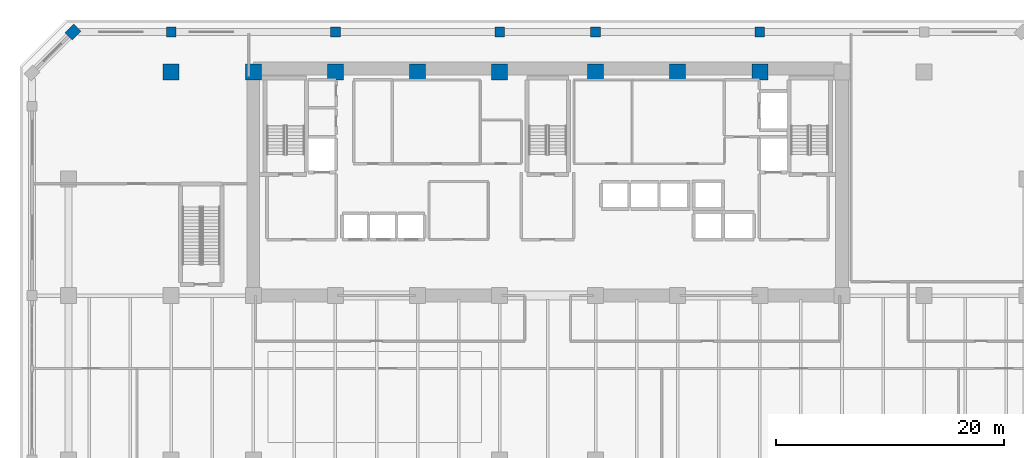
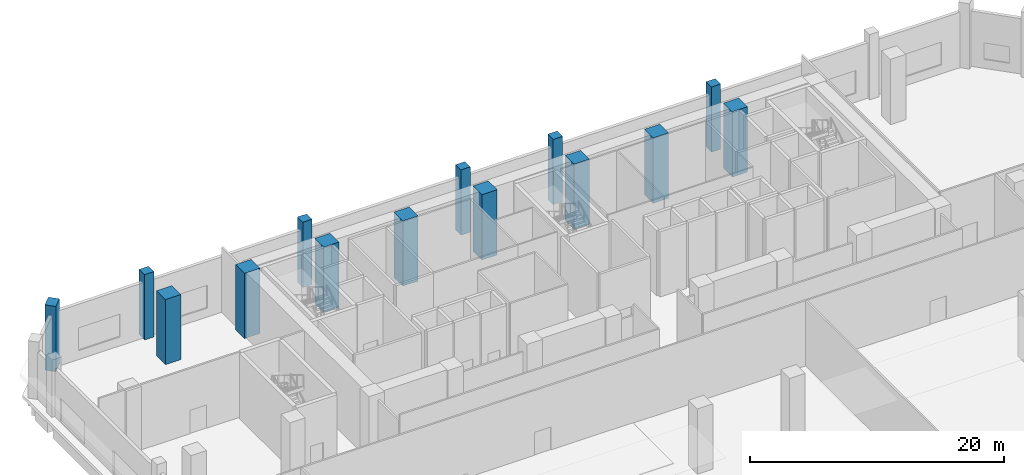
# One storey, part 2 of 29: 14 columns.
"""IFC4 building model written with IfcOpenShell, lengths in metres."""

from ifc_helpers import new_model, si_unit, direction, frame, origin, origin_2d, place, context, subcontext, project, spatial, rectangle, extrude, material, material_profile, profile_set, type_object, element, save


model = new_model("IFC4")

# Units and contexts
model_context = context("Model", 3, precision=1e-05, world=origin(), true_north=direction((0.0, 1.0)))
body_context = subcontext(model_context, "Body", "Model", "MODEL_VIEW")
ifc_project = project(units=[si_unit("LENGTHUNIT", "METRE"), si_unit("AREAUNIT", "SQUARE_METRE"), si_unit("VOLUMEUNIT", "CUBIC_METRE"), si_unit("PLANEANGLEUNIT", "RADIAN"), si_unit("MASSUNIT", "GRAM", prefix="KILO")], contexts=[model_context])

# Site, building, storey
site_placement = place(None, origin())
site = spatial("IfcSite", under=ifc_project, at=site_placement, CompositionType="ELEMENT")
building_placement = place(site_placement, origin())
building = spatial("IfcBuilding", under=site, at=building_placement, Name="Kaelvorn Grand Hotel", CompositionType="ELEMENT")
storey_placement = place(building_placement, frame((0.0, 0.0, 19.39990234375)))
storey = spatial("IfcBuildingStorey", under=building, at=storey_placement, Name="L03", CompositionType="ELEMENT", Elevation=19.39990234375)

# Columns
ifc_material_1 = material(Name="Concrete C80/95", Category="concrete")
ifc_material_profile_1 = material_profile(ifc_material_1, rectangle(XDim=1.10009765625, YDim=0.89990234375, at=origin_2d()), Name="RC PILASTER 1100x900")
ifc_profile_set_1 = profile_set([ifc_material_profile_1], Name="Concrete C80/95")
column_type_1 = type_object("IfcColumnType", Name="COL-PIL-1100x900-C80", PredefinedType="PILASTER", material=ifc_profile_set_1)
column_placement = place(storey_placement, frame((0.39990234375, 52.5, 0.0), z_axis=(0.0, 0.0, 1.0), x_axis=(0.707106781187, 0.707106781187, 0.0)))
element("IfcColumn", 1, at=column_placement, inside=storey, type_object=column_type_1, Name="L03 Structural Column PDCH-06", PredefinedType="PILASTER", context=body_context, shape_type="SweptSolid", body=[
    extrude(rectangle(XDim=1.10009765625, YDim=0.89990234375, at=origin_2d()), origin(), (0.0, 0.0, 1.0), 6.280029296875),
])
ifc_material_profile_2 = material_profile(ifc_material_1, rectangle(XDim=1.39990234375, YDim=1.39990234375, at=origin_2d()), Name="RC COL 1400x1400")
ifc_profile_set_2 = profile_set([ifc_material_profile_2], Name="Concrete C80/95")
column_type_2 = type_object("IfcColumnType", Name="COL-RC-1400-C80", PredefinedType="COLUMN", material=ifc_profile_set_2)
for number, where, z_axis, x_axis, name in (
    (2, (9.0, 49.0, 0.0), (0.0, 0.0, 1.0), (1.0, 0.0, 0.0), "L03 Structural Column TN-01"),
    (3, (16.199951171875, 49.0, 0.0), (0.0, 0.0, 1.0), (1.0, 0.0, 0.0), "L03 Structural Column TN-02"),
    (4, (23.39990234375, 49.0, 0.0), (0.0, 0.0, 1.0), (1.0, 0.0, 0.0), "L03 Structural Column TN-03"),
    (5, (30.60009765625, 49.0, 0.0), (0.0, 0.0, 1.0), (1.0, 0.0, 0.0), "L03 Structural Column TN-04"),
    (6, (37.800048828125, 49.0, 0.0), (0.0, 0.0, 1.0), (1.0, 0.0, 0.0), "L03 Structural Column TN-05"),
    (7, (46.199951171875, 49.0, 0.0), (0.0, 0.0, 1.0), (1.0, 0.0, 0.0), "L03 Structural Column TN-06"),
    (8, (53.39990234375, 49.0, 0.0), (0.0, 0.0, 1.0), (1.0, 0.0, 0.0), "L03 Structural Column TN-07"),
    (9, (60.60009765625, 49.0, 0.0), (0.0, 0.0, 1.0), (1.0, 0.0, 0.0), "L03 Structural Column TN-08"),
):
    element("IfcColumn", number, at=place(storey_placement, frame(where, z_axis=z_axis, x_axis=x_axis)), inside=storey, type_object=column_type_2, Name=name, PredefinedType="COLUMN", context=body_context, shape_type="SweptSolid", body=[
        extrude(rectangle(XDim=1.39990234375, YDim=1.39990234375, at=origin_2d()), origin(), (0.0, 0.0, 1.0), 6.280029296875),
    ])
ifc_material_2 = material(Name="Concrete C50/60", Category="concrete")
ifc_material_profile_3 = material_profile(ifc_material_2, rectangle(XDim=0.85009765625, YDim=0.85009765625, at=origin_2d()), Name="RC COL 850x850")
ifc_profile_set_3 = profile_set([ifc_material_profile_3], Name="Concrete C50/60")
column_type_3 = type_object("IfcColumnType", Name="COL-RC-850-C50", PredefinedType="COLUMN", material=ifc_profile_set_3)
for number, where, z_axis, x_axis, name in (
    (10, (9.0, 52.5, 0.0), (0.0, 0.0, 1.0), (1.0, 0.0, 0.0), "L03 Structural Column PDN-01"),
    (11, (23.39990234375, 52.5, 0.0), (0.0, 0.0, 1.0), (1.0, 0.0, 0.0), "L03 Structural Column PDN-02"),
    (12, (37.800048828125, 52.5, 0.0), (0.0, 0.0, 1.0), (1.0, 0.0, 0.0), "L03 Structural Column PDN-03"),
    (13, (46.199951171875, 52.5, 0.0), (0.0, 0.0, 1.0), (1.0, 0.0, 0.0), "L03 Structural Column PDN-04"),
    (14, (60.60009765625, 52.5, 0.0), (0.0, 0.0, 1.0), (1.0, 0.0, 0.0), "L03 Structural Column PDN-05"),
):
    element("IfcColumn", number, at=place(storey_placement, frame(where, z_axis=z_axis, x_axis=x_axis)), inside=storey, type_object=column_type_3, Name=name, PredefinedType="COLUMN", context=body_context, shape_type="SweptSolid", body=[
        extrude(rectangle(XDim=0.85009765625, YDim=0.85009765625, at=origin_2d()), origin(), (0.0, 0.0, 1.0), 6.280029296875),
    ])

save(model, "model.ifc")
